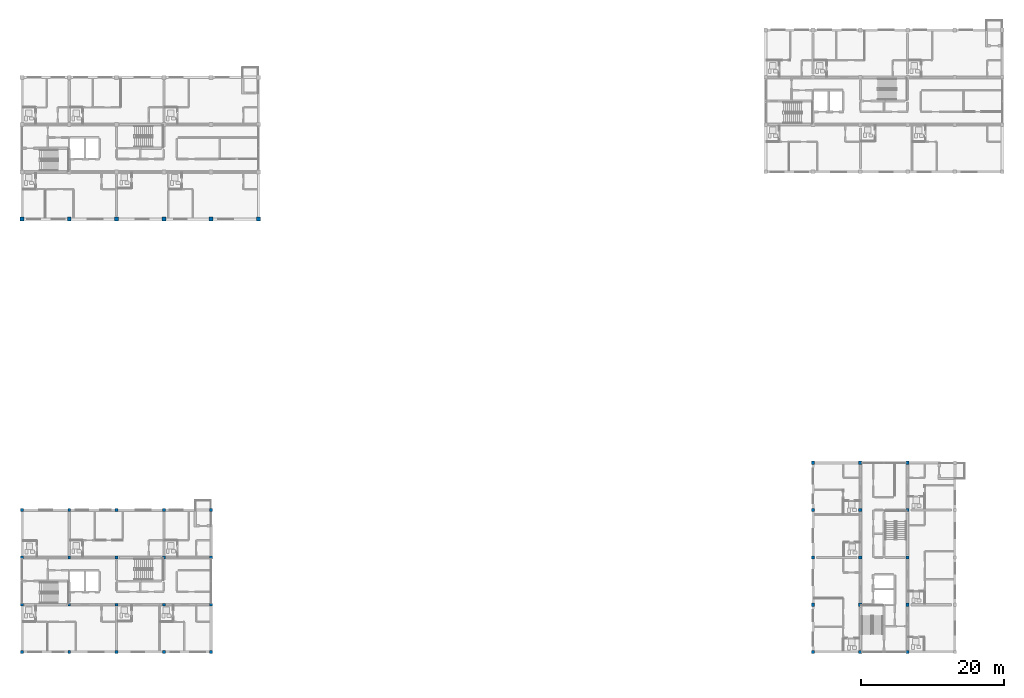
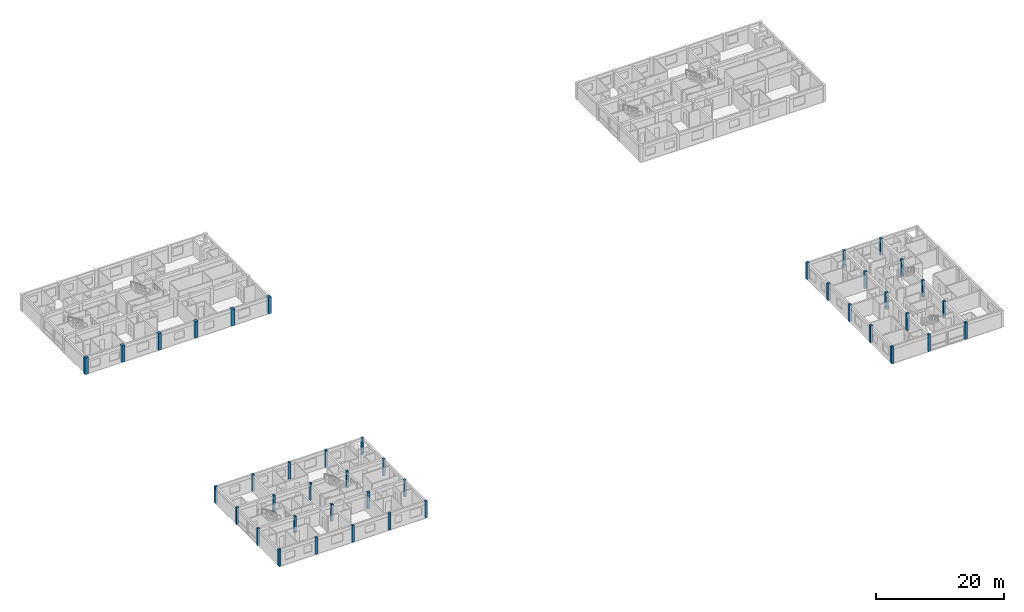
# One storey, part 1 of 45: 41 columns.
"""IFC4 building model written with IfcOpenShell, lengths in metres."""

from ifc_helpers import new_model, si_unit, direction, frame, origin, origin_2d, place, context, subcontext, project, spatial, rectangle, extrude, material, material_profile, profile_set, type_object, element, save


model = new_model("IFC4")

# Units and contexts
model_context = context("Model", 3, precision=1e-05, world=origin(), true_north=direction((0.0, 1.0)))
body_context = subcontext(model_context, "Body", "Model", "MODEL_VIEW")
ifc_project = project(units=[si_unit("LENGTHUNIT", "METRE"), si_unit("AREAUNIT", "SQUARE_METRE"), si_unit("VOLUMEUNIT", "CUBIC_METRE"), si_unit("PLANEANGLEUNIT", "RADIAN"), si_unit("MASSUNIT", "GRAM", prefix="KILO")], contexts=[model_context])

# Site, building, storey
site_placement = place(None, origin())
site = spatial("IfcSite", under=ifc_project, at=site_placement, CompositionType="ELEMENT")
building_placement = place(site_placement, origin())
building = spatial("IfcBuilding", under=site, at=building_placement, Name="Kernevlak Ridge Housing Community", CompositionType="ELEMENT")
storey_placement = place(building_placement, frame((0.0, 0.0, 21.199951171875)))
storey = spatial("IfcBuildingStorey", under=building, at=storey_placement, Name="L06", CompositionType="ELEMENT", Elevation=21.199951171875)

# Columns
ifc_material_1 = material(Name="Concrete C40/50", Category="concrete")
ifc_material_profile_1 = material_profile(ifc_material_1, rectangle(XDim=0.550048828125, YDim=0.550048828125, at=origin_2d()), Name="RC 550x550")
ifc_profile_set_1 = profile_set([ifc_material_profile_1], Name="Concrete C40/50")
column_type_1 = type_object("IfcColumnType", Name="C-02", PredefinedType="COLUMN", material=ifc_profile_set_1)
for number, where, z_axis, x_axis, name in (
    (1, (15.60009765625, 76.0, 0.0), (0.0, 0.0, 1.0), (1.0, 0.0, 0.0), "Column C-02 COL-A-L06-00-0"),
    (2, (22.199951171875, 76.0, 0.0), (0.0, 0.0, 1.0), (1.0, 0.0, 0.0), "Column C-02 COL-A-L06-01-0"),
    (3, (28.800048828125, 76.0, 0.0), (0.0, 0.0, 1.0), (1.0, 0.0, 0.0), "Column C-02 COL-A-L06-02-0"),
    (4, (35.39990234375, 76.0, 0.0), (0.0, 0.0, 1.0), (1.0, 0.0, 0.0), "Column C-02 COL-A-L06-03-0"),
    (5, (42.0, 76.0, 0.0), (0.0, 0.0, 1.0), (1.0, 0.0, 0.0), "Column C-02 COL-A-L06-04-0"),
    (6, (48.60009765625, 76.0, 0.0), (0.0, 0.0, 1.0), (1.0, 0.0, 0.0), "Column C-02 COL-A-L06-05-0"),
):
    element("IfcColumn", number, at=place(storey_placement, frame(where, z_axis=z_axis, x_axis=x_axis)), inside=storey, type_object=column_type_1, Name=name, PredefinedType="COLUMN", context=body_context, shape_type="SweptSolid", body=[
        extrude(rectangle(XDim=0.550048828125, YDim=0.550048828125, at=origin_2d()), origin(), (0.0, 0.0, 1.0), 3.199951171875),
    ])
ifc_material_2 = material(Name="Concrete C35/45", Category="concrete")
ifc_material_profile_2 = material_profile(ifc_material_2, rectangle(XDim=0.449951171875, YDim=0.449951171875, at=origin_2d()), Name="RC 450x450")
ifc_profile_set_2 = profile_set([ifc_material_profile_2], Name="Concrete C35/45")
column_type_2 = type_object("IfcColumnType", Name="C-04", PredefinedType="COLUMN", material=ifc_profile_set_2)
for number, where, z_axis, x_axis, name in (
    (7, (126.0, 15.60009765625, 0.0), (0.0, 0.0, 1.0), (1.0, 0.0, 0.0), "Column C-04 COL-C-L06-00-0"),
    (8, (132.60009765625, 15.60009765625, 0.0), (0.0, 0.0, 1.0), (1.0, 0.0, 0.0), "Column C-04 COL-C-L06-00-1"),
    (9, (139.199951171875, 15.60009765625, 0.0), (0.0, 0.0, 1.0), (1.0, 0.0, 0.0), "Column C-04 COL-C-L06-00-2"),
    (10, (126.0, 22.199951171875, 0.0), (0.0, 0.0, 1.0), (1.0, 0.0, 0.0), "Column C-04 COL-C-L06-01-0"),
    (11, (132.60009765625, 22.199951171875, 0.0), (0.0, 0.0, 1.0), (1.0, 0.0, 0.0), "Column C-04 COL-C-L06-01-1"),
    (12, (139.199951171875, 22.199951171875, 0.0), (0.0, 0.0, 1.0), (1.0, 0.0, 0.0), "Column C-04 COL-C-L06-01-2"),
    (13, (126.0, 28.800048828125, 0.0), (0.0, 0.0, 1.0), (1.0, 0.0, 0.0), "Column C-04 COL-C-L06-02-0"),
    (14, (132.60009765625, 28.800048828125, 0.0), (0.0, 0.0, 1.0), (1.0, 0.0, 0.0), "Column C-04 COL-C-L06-02-1"),
    (15, (139.199951171875, 28.800048828125, 0.0), (0.0, 0.0, 1.0), (1.0, 0.0, 0.0), "Column C-04 COL-C-L06-02-2"),
    (16, (126.0, 35.39990234375, 0.0), (0.0, 0.0, 1.0), (1.0, 0.0, 0.0), "Column C-04 COL-C-L06-03-0"),
    (17, (132.60009765625, 35.39990234375, 0.0), (0.0, 0.0, 1.0), (1.0, 0.0, 0.0), "Column C-04 COL-C-L06-03-1"),
    (18, (139.199951171875, 35.39990234375, 0.0), (0.0, 0.0, 1.0), (1.0, 0.0, 0.0), "Column C-04 COL-C-L06-03-2"),
    (19, (126.0, 42.0, 0.0), (0.0, 0.0, 1.0), (1.0, 0.0, 0.0), "Column C-04 COL-C-L06-04-0"),
    (20, (132.60009765625, 42.0, 0.0), (0.0, 0.0, 1.0), (1.0, 0.0, 0.0), "Column C-04 COL-C-L06-04-1"),
    (21, (139.199951171875, 42.0, 0.0), (0.0, 0.0, 1.0), (1.0, 0.0, 0.0), "Column C-04 COL-C-L06-04-2"),
):
    element("IfcColumn", number, at=place(storey_placement, frame(where, z_axis=z_axis, x_axis=x_axis)), inside=storey, type_object=column_type_2, Name=name, PredefinedType="COLUMN", context=body_context, shape_type="SweptSolid", body=[
        extrude(rectangle(XDim=0.449951171875, YDim=0.449951171875, at=origin_2d()), origin(), (0.0, 0.0, 1.0), 3.199951171875),
    ])
ifc_material_profile_3 = material_profile(ifc_material_2, rectangle(XDim=0.39990234375, YDim=0.39990234375, at=origin_2d()), Name="RC 400x400")
ifc_profile_set_3 = profile_set([ifc_material_profile_3], Name="Concrete C35/45")
column_type_3 = type_object("IfcColumnType", Name="C-05", PredefinedType="COLUMN", material=ifc_profile_set_3)
for number, where, z_axis, x_axis, name in (
    (22, (15.60009765625, 15.60009765625, 0.0), (0.0, 0.0, 1.0), (1.0, 0.0, 0.0), "Column C-05 COL-D-L06-00-0"),
    (23, (15.60009765625, 22.199951171875, 0.0), (0.0, 0.0, 1.0), (1.0, 0.0, 0.0), "Column C-05 COL-D-L06-00-1"),
    (24, (15.60009765625, 28.800048828125, 0.0), (0.0, 0.0, 1.0), (1.0, 0.0, 0.0), "Column C-05 COL-D-L06-00-2"),
    (25, (15.60009765625, 35.39990234375, 0.0), (0.0, 0.0, 1.0), (1.0, 0.0, 0.0), "Column C-05 COL-D-L06-00-3"),
    (26, (22.199951171875, 15.60009765625, 0.0), (0.0, 0.0, 1.0), (1.0, 0.0, 0.0), "Column C-05 COL-D-L06-01-0"),
    (27, (22.199951171875, 22.199951171875, 0.0), (0.0, 0.0, 1.0), (1.0, 0.0, 0.0), "Column C-05 COL-D-L06-01-1"),
    (28, (22.199951171875, 28.800048828125, 0.0), (0.0, 0.0, 1.0), (1.0, 0.0, 0.0), "Column C-05 COL-D-L06-01-2"),
    (29, (22.199951171875, 35.39990234375, 0.0), (0.0, 0.0, 1.0), (1.0, 0.0, 0.0), "Column C-05 COL-D-L06-01-3"),
    (30, (28.800048828125, 15.60009765625, 0.0), (0.0, 0.0, 1.0), (1.0, 0.0, 0.0), "Column C-05 COL-D-L06-02-0"),
    (31, (28.800048828125, 22.199951171875, 0.0), (0.0, 0.0, 1.0), (1.0, 0.0, 0.0), "Column C-05 COL-D-L06-02-1"),
    (32, (28.800048828125, 28.800048828125, 0.0), (0.0, 0.0, 1.0), (1.0, 0.0, 0.0), "Column C-05 COL-D-L06-02-2"),
    (33, (28.800048828125, 35.39990234375, 0.0), (0.0, 0.0, 1.0), (1.0, 0.0, 0.0), "Column C-05 COL-D-L06-02-3"),
    (34, (35.39990234375, 15.60009765625, 0.0), (0.0, 0.0, 1.0), (1.0, 0.0, 0.0), "Column C-05 COL-D-L06-03-0"),
    (35, (35.39990234375, 22.199951171875, 0.0), (0.0, 0.0, 1.0), (1.0, 0.0, 0.0), "Column C-05 COL-D-L06-03-1"),
    (36, (35.39990234375, 28.800048828125, 0.0), (0.0, 0.0, 1.0), (1.0, 0.0, 0.0), "Column C-05 COL-D-L06-03-2"),
    (37, (35.39990234375, 35.39990234375, 0.0), (0.0, 0.0, 1.0), (1.0, 0.0, 0.0), "Column C-05 COL-D-L06-03-3"),
    (38, (42.0, 15.60009765625, 0.0), (0.0, 0.0, 1.0), (1.0, 0.0, 0.0), "Column C-05 COL-D-L06-04-0"),
    (39, (42.0, 22.199951171875, 0.0), (0.0, 0.0, 1.0), (1.0, 0.0, 0.0), "Column C-05 COL-D-L06-04-1"),
    (40, (42.0, 28.800048828125, 0.0), (0.0, 0.0, 1.0), (1.0, 0.0, 0.0), "Column C-05 COL-D-L06-04-2"),
    (41, (42.0, 35.39990234375, 0.0), (0.0, 0.0, 1.0), (1.0, 0.0, 0.0), "Column C-05 COL-D-L06-04-3"),
):
    element("IfcColumn", number, at=place(storey_placement, frame(where, z_axis=z_axis, x_axis=x_axis)), inside=storey, type_object=column_type_3, Name=name, PredefinedType="COLUMN", context=body_context, shape_type="SweptSolid", body=[
        extrude(rectangle(XDim=0.39990234375, YDim=0.39990234375, at=origin_2d()), origin(), (0.0, 0.0, 1.0), 3.199951171875),
    ])

save(model, "model.ifc")
